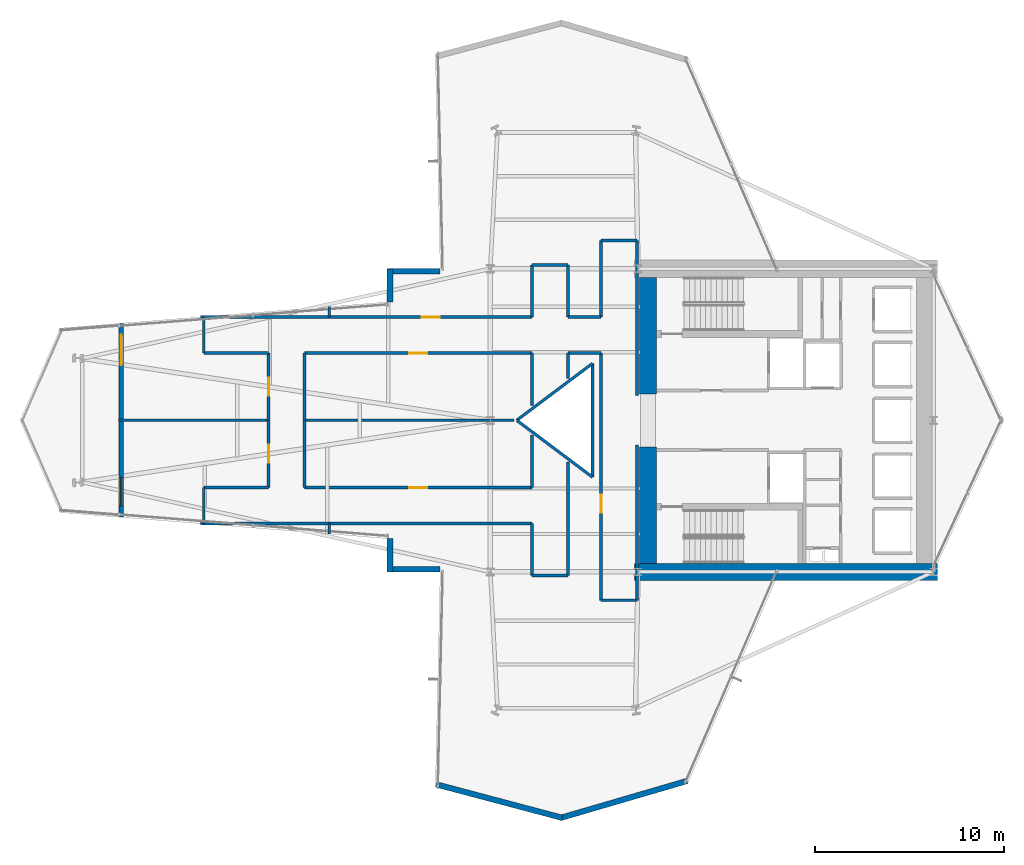
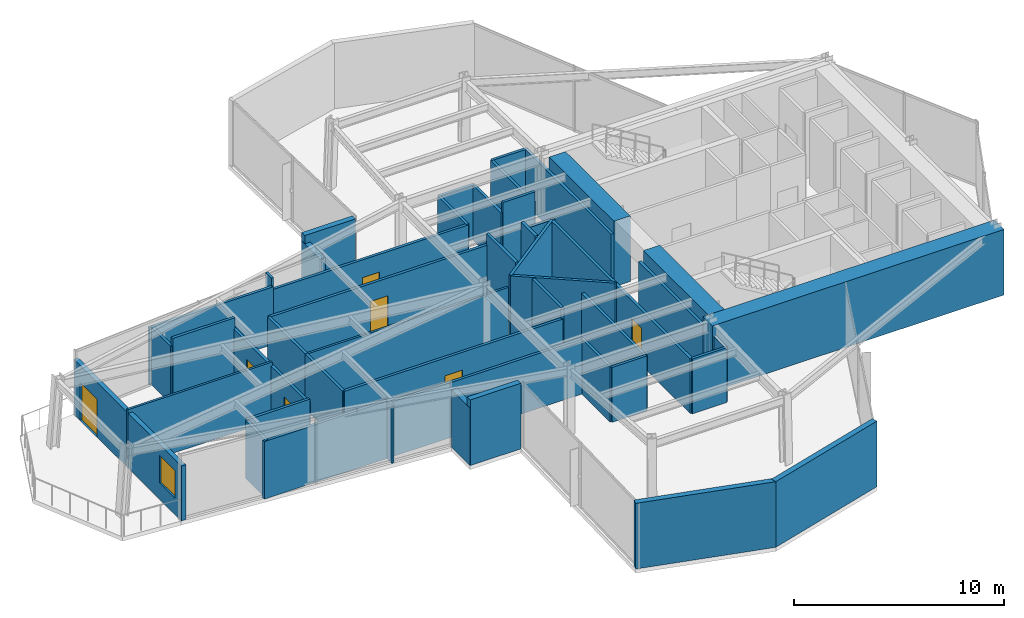
# One storey, part 22 of 26: 48 walls, 7 doors, 1 window, 8 openings.
"""IFC4 building model written with IfcOpenShell, lengths in metres."""

from ifc_helpers import new_model, si_unit, direction, frame, frame_2d, origin, place, context, subcontext, project, spatial, rectangle, extrude, material, layer, layer_set, type_object, element, fill, save


model = new_model("IFC4")

# Units and contexts
model_context = context("Model", 3, precision=1e-05, world=origin(), true_north=direction((0.0, 1.0)))
body_context = subcontext(model_context, "Body", "Model", "MODEL_VIEW")
ifc_project = project(units=[si_unit("LENGTHUNIT", "METRE"), si_unit("AREAUNIT", "SQUARE_METRE"), si_unit("VOLUMEUNIT", "CUBIC_METRE"), si_unit("PLANEANGLEUNIT", "RADIAN"), si_unit("MASSUNIT", "GRAM", prefix="KILO")], contexts=[model_context])

# Site, building, storey
site_placement = place(None, origin())
site = spatial("IfcSite", under=ifc_project, at=site_placement, CompositionType="ELEMENT")
building_placement = place(site_placement, origin())
building = spatial("IfcBuilding", under=site, at=building_placement, Name="Veymaron Broadcast Tower", CompositionType="ELEMENT")
storey_placement = place(building_placement, frame((0.0, 0.0, 90.449951171875)))
storey = spatial("IfcBuildingStorey", under=building, at=storey_placement, Name="L20", CompositionType="ELEMENT", Elevation=90.449951171875)

# Wall, openings, door, window
ifc_material_1 = material(Name="Precast concrete C40/50", Category="concrete")
ifc_layer_1 = layer(ifc_material_1, 0.25)
ifc_layer_set_1 = layer_set([ifc_layer_1], Name="Precast concrete C40/50")
wall_type_1 = type_object("IfcWallType", Name="WALL-EXT-250", PredefinedType="STANDARD", material=ifc_layer_set_1)
wall_1_placement = place(storey_placement, frame((11.716064453125, 29.115966796875, 0.0), z_axis=(0.0, 0.0, 1.0), x_axis=(0.0, -1.0, 0.0)))
wall_1 = element("IfcWall", 1, at=wall_1_placement, inside=storey, type_object=wall_type_1, Name="L20 sky-terrace threshold wall", PredefinedType="STANDARD", context=body_context, shape_type="SweptSolid", body=[
    extrude(rectangle(XDim=10.23193359375, YDim=0.25, at=frame_2d((5.115966796875, 0.0))), origin(), (0.0, 0.0, 1.0), 3.18115234375),
])
opening_1_placement = place(wall_1_placement, frame((0.60009765625, 0.0, 0.0)))
opening_1 = element("IfcOpeningElement", 2, at=opening_1_placement, cuts=wall_1, Name="Opening ED-TR1", PredefinedType="OPENING", context=body_context, shape_type="SweptSolid", body=[
    extrude(rectangle(XDim=1.60009765625, YDim=2.199951171875, at=frame_2d((0.800048828125, 1.10009765625))), frame((0.0, 0.135009765625, 0.0), z_axis=(0.0, -1.0, 0.0), x_axis=(1.0, 0.0, 0.0)), (0.0, 0.0, 1.0), 0.27001953125),
])
opening_2_placement = place(wall_1_placement, frame((8.132080078125, 0.0, 0.949951171875)))
opening_2 = element("IfcOpeningElement", 3, at=opening_2_placement, cuts=wall_1, Name="Opening WN2", PredefinedType="OPENING", context=body_context, shape_type="SweptSolid", body=[
    extrude(rectangle(XDim=1.5, YDim=1.60009765625, at=frame_2d((0.75, 0.800048828125))), frame((0.0, 0.135009765625, 0.0), z_axis=(0.0, -1.0, 0.0), x_axis=(1.0, 0.0, 0.0)), (0.0, 0.0, 1.0), 0.27001953125),
])
ifc_material_2 = material(Name="Thermally broken aluminium and low-E safety glass", Category="aluminium")
door_type_1 = type_object("IfcDoorType", Name="DOOR-TERR-1600", OperationType="DOUBLE_DOOR_SINGLE_SWING", PredefinedType="DOOR", material=ifc_material_2)
door_1_placement = place(opening_1_placement, frame((1.60009765625, 0.0, 0.0), z_axis=(0.0, 0.0, 1.0), x_axis=(-1.0, 0.0, 0.0)))
door_1 = element("IfcDoor", 4, at=door_1_placement, inside=storey, type_object=door_type_1, Name="L20 sky-terrace access door", OperationType="SINGLE_SWING_LEFT", OverallHeight=2.199951171875, OverallWidth=1.60009765625, PredefinedType="DOOR", context=body_context, shape_type="SweptSolid", body=[
    extrude(rectangle(XDim=1.60009765625, YDim=2.199951171875, at=frame_2d((0.800048828125, 1.10009765625))), frame((0.0, 0.02490234375, 0.0), z_axis=(0.0, -1.0, 0.0), x_axis=(1.0, 0.0, 0.0)), (0.0, 0.0, 1.0), 0.050048828125),
])
fill(opening_1, door_1)
ifc_material_3 = material(Name="Thermally broken aluminium and acoustic laminated glass", Category="aluminium")
window_type = type_object("IfcWindowType", Name="WIN-EXT-1500", PartitioningType="SINGLE_PANEL", PredefinedType="WINDOW", material=ifc_material_3)
window_placement = place(opening_2_placement, origin())
window = element("IfcWindow", 5, at=window_placement, inside=storey, type_object=window_type, Name="L20 sky-terrace viewing window", OverallHeight=1.60009765625, OverallWidth=1.5, PartitioningType="SINGLE_PANEL", PredefinedType="WINDOW", context=body_context, shape_type="SweptSolid", body=[
    extrude(rectangle(XDim=1.5, YDim=1.60009765625, at=frame_2d((0.75, 0.800048828125))), frame((0.0, 0.030029296875, 0.0), z_axis=(0.0, -1.0, 0.0), x_axis=(1.0, 0.0, 0.0)), (0.0, 0.0, 1.0), 0.06005859375),
])
fill(opening_2, window)

# Walls
ifc_material_4 = material(Name="Precast concrete C40/50 with mineral-wool insulation", Category="concrete")
ifc_layer_2 = layer(ifc_material_4, 0.300048828125)
ifc_layer_set_2 = layer_set([ifc_layer_2], Name="Precast concrete C40/50 with mineral-wool insulation")
wall_type_2 = type_object("IfcWallType", Name="WALL-EXT-300", PredefinedType="STANDARD", material=ifc_layer_set_2)
wall_2_placement = place(storey_placement, frame((28.550048828125, 31.860107421875, 0.0), z_axis=(0.0, 0.0, 1.0), x_axis=(-1.0, 0.0, 0.0)))
element("IfcWall", 6, at=wall_2_placement, inside=storey, type_object=wall_type_2, Name="L20 notched corner facade pier 10-1", PredefinedType="STANDARD", context=body_context, shape_type="SweptSolid", body=[
    extrude(rectangle(XDim=2.781982421875, YDim=0.300048828125, at=frame_2d((1.39111328125, 0.0))), origin(), (0.0, 0.0, 1.0), 3.81005859375),
])
for number, where, z_axis, x_axis, name in (
    (7, (25.907958984375, 32.0, 0.0), (0.0, 0.0, 1.0), (0.0, -1.0, 0.0), "L20 notched corner facade pier 11-1"),
    (8, (25.907958984375, 17.751220703125, 0.0), (0.0, 0.0, 1.0), (0.0, -1.0, 0.0), "L20 notched corner facade pier 15-1"),
):
    element("IfcWall", number, at=place(storey_placement, frame(where, z_axis=z_axis, x_axis=x_axis)), inside=storey, type_object=wall_type_2, Name=name, PredefinedType="STANDARD", context=body_context, shape_type="SweptSolid", body=[
        extrude(rectangle(XDim=1.751220703125, YDim=0.300048828125, at=frame_2d((0.87548828125, 0.0))), origin(), (0.0, 0.0, 1.0), 3.338134765625),
    ])
wall_3_placement = place(storey_placement, frame((25.76806640625, 16.139892578125, 0.0), z_axis=(0.0, 0.0, 1.0), x_axis=(1.0, 0.0, 0.0)))
element("IfcWall", 9, at=wall_3_placement, inside=storey, type_object=wall_type_2, Name="L20 notched corner facade pier 16-1", PredefinedType="STANDARD", context=body_context, shape_type="SweptSolid", body=[
    extrude(rectangle(XDim=2.781982421875, YDim=0.300048828125, at=frame_2d((1.39111328125, 0.0))), origin(), (0.0, 0.0, 1.0), 3.81005859375),
])
wall_4_placement = place(storey_placement, frame((28.33203125, 4.7841796875, 0.0), z_axis=(0.0, 0.0, 1.0), x_axis=(0.966505300828, -0.256646651002, 0.0)))
element("IfcWall", 10, at=wall_4_placement, inside=storey, type_object=wall_type_2, Name="L20 notched corner facade pier 18-1", PredefinedType="STANDARD", context=body_context, shape_type="SweptSolid", body=[
    extrude(rectangle(XDim=6.895751953125, YDim=0.300048828125, at=frame_2d((3.44775390625, 0.0))), origin(), (0.0, 0.0, 1.0), 3.81005859375),
])
wall_5_placement = place(storey_placement, frame((34.921630859375, 3.013427734375, 0.0), z_axis=(0.0, 0.0, 1.0), x_axis=(0.95987901055, 0.280414488045, 0.0)))
element("IfcWall", 11, at=wall_5_placement, inside=storey, type_object=wall_type_2, Name="L20 notched corner facade pier 19-1", PredefinedType="STANDARD", context=body_context, shape_type="SweptSolid", body=[
    extrude(rectangle(XDim=6.943359375, YDim=0.300048828125, at=frame_2d((3.4716796875, 0.0))), origin(), (0.0, 0.0, 1.0), 3.81005859375),
])

# Wall, opening, door
ifc_material_5 = material(Name="Gypsum fireboard and steel stud framing", Category="steel")
ifc_layer_3 = layer(ifc_material_5, 0.14990234375)
ifc_layer_set_3 = layer_set([ifc_layer_3], Name="Gypsum fireboard and steel stud framing")
wall_type_3 = type_object("IfcWallType", Name="WALL-FIRE-150", PredefinedType="PARTITIONING", material=ifc_layer_set_3)
wall_6_placement = place(storey_placement, frame((37.050048828125, 14.5, 0.0), z_axis=(0.0, 0.0, 1.0), x_axis=(0.0, 1.0, 0.0)))
wall_6 = element("IfcWall", 12, at=wall_6_placement, inside=storey, type_object=wall_type_3, Name="L20 partition IW-L20-P01", PredefinedType="PARTITIONING", context=body_context, shape_type="SweptSolid", body=[
    extrude(rectangle(XDim=13.050048828125, YDim=0.14990234375, at=frame_2d((6.52490234375, 0.0))), origin(), (0.0, 0.0, 1.0), 3.18115234375),
])
opening_3_placement = place(wall_6_placement, frame((4.610107421875, 0.0, 0.0)))
opening_3 = element("IfcOpeningElement", 13, at=opening_3_placement, cuts=wall_6, Name="Opening ID-RM1", PredefinedType="OPENING", context=body_context, shape_type="SweptSolid", body=[
    extrude(rectangle(XDim=0.949951171875, YDim=2.14990234375, at=frame_2d((0.47509765625, 1.074951171875))), frame((0.0, 0.0849609375, 0.0), z_axis=(0.0, -1.0, 0.0), x_axis=(1.0, 0.0, 0.0)), (0.0, 0.0, 1.0), 0.169921875),
])
ifc_material_6 = material(Name="Acoustic solid-core European oak veneer timber", Category="wood")
door_type_2 = type_object("IfcDoorType", Name="DOOR-INT-950", OperationType="NOTDEFINED", PredefinedType="DOOR", material=ifc_material_6)
door_2_placement = place(opening_3_placement, frame((0.949951171875, 0.0, 0.0), z_axis=(0.0, 0.0, 1.0), x_axis=(-1.0, 0.0, 0.0)))
door_2 = element("IfcDoor", 14, at=door_2_placement, inside=storey, type_object=door_type_2, Name="L20 door DR-L20-P01", OperationType="SINGLE_SWING_RIGHT", OverallHeight=2.14990234375, OverallWidth=0.949951171875, PredefinedType="DOOR", context=body_context, shape_type="SweptSolid", body=[
    extrude(rectangle(XDim=0.949951171875, YDim=2.14990234375, at=frame_2d((0.47509765625, 1.074951171875))), frame((0.0, 0.02490234375, 0.0), z_axis=(0.0, -1.0, 0.0), x_axis=(1.0, 0.0, 0.0)), (0.0, 0.0, 1.0), 0.050048828125),
])
fill(opening_3, door_2)

wall_7_placement = place(storey_placement, frame((19.5, 20.449951171875, 0.0), z_axis=(0.0, 0.0, 1.0), x_axis=(0.0, 1.0, 0.0)))
wall_7 = element("IfcWall", 15, at=wall_7_placement, inside=storey, type_object=wall_type_3, Name="L20 partition IW-L20-P11", PredefinedType="PARTITIONING", context=body_context, shape_type="SweptSolid", body=[
    extrude(rectangle(XDim=3.550048828125, YDim=0.14990234375, at=frame_2d((1.77490234375, 0.0))), origin(), (0.0, 0.0, 1.0), 3.18115234375),
])
opening_4_placement = place(wall_7_placement, frame((1.300048828125, 0.0, 0.0)))
opening_4 = element("IfcOpeningElement", 16, at=opening_4_placement, cuts=wall_7, Name="Opening ID-RM1", PredefinedType="OPENING", context=body_context, shape_type="SweptSolid", body=[
    extrude(rectangle(XDim=0.949951171875, YDim=2.14990234375, at=frame_2d((0.47509765625, 1.074951171875))), frame((0.0, 0.0849609375, 0.0), z_axis=(0.0, -1.0, 0.0), x_axis=(1.0, 0.0, 0.0)), (0.0, 0.0, 1.0), 0.169921875),
])
door_3_placement = place(opening_4_placement, origin())
door_3 = element("IfcDoor", 17, at=door_3_placement, inside=storey, type_object=door_type_2, Name="L20 door DR-L20-P11", OperationType="SINGLE_SWING_RIGHT", OverallHeight=2.14990234375, OverallWidth=0.949951171875, PredefinedType="DOOR", context=body_context, shape_type="SweptSolid", body=[
    extrude(rectangle(XDim=0.949951171875, YDim=2.14990234375, at=frame_2d((0.47509765625, 1.074951171875))), frame((0.0, 0.02490234375, 0.0), z_axis=(0.0, -1.0, 0.0), x_axis=(1.0, 0.0, 0.0)), (0.0, 0.0, 1.0), 0.050048828125),
])
fill(opening_4, door_3)

wall_8_placement = place(storey_placement, frame((21.39990234375, 20.449951171875, 0.0), z_axis=(0.0, 0.0, 1.0), x_axis=(1.0, 0.0, 0.0)))
wall_8 = element("IfcWall", 18, at=wall_8_placement, inside=storey, type_object=wall_type_3, Name="L20 partition IW-L20-P14", PredefinedType="PARTITIONING", context=body_context, shape_type="SweptSolid", body=[
    extrude(rectangle(XDim=12.0, YDim=0.14990234375, at=frame_2d((6.0, 0.0))), origin(), (0.0, 0.0, 1.0), 3.18115234375),
])
opening_5_placement = place(wall_8_placement, frame((5.52490234375, 0.0, 0.0)))
opening_5 = element("IfcOpeningElement", 19, at=opening_5_placement, cuts=wall_8, Name="Opening ID-RM1", PredefinedType="OPENING", context=body_context, shape_type="SweptSolid", body=[
    extrude(rectangle(XDim=0.949951171875, YDim=2.14990234375, at=frame_2d((0.47509765625, 1.074951171875))), frame((0.0, 0.0849609375, 0.0), z_axis=(0.0, -1.0, 0.0), x_axis=(1.0, 0.0, 0.0)), (0.0, 0.0, 1.0), 0.169921875),
])
door_4_placement = place(opening_5_placement, origin())
door_4 = element("IfcDoor", 20, at=door_4_placement, inside=storey, type_object=door_type_2, Name="L20 door DR-L20-P14", OperationType="SINGLE_SWING_LEFT", OverallHeight=2.14990234375, OverallWidth=0.949951171875, PredefinedType="DOOR", context=body_context, shape_type="SweptSolid", body=[
    extrude(rectangle(XDim=0.949951171875, YDim=2.14990234375, at=frame_2d((0.47509765625, 1.074951171875))), frame((0.0, 0.02490234375, 0.0), z_axis=(0.0, -1.0, 0.0), x_axis=(1.0, 0.0, 0.0)), (0.0, 0.0, 1.0), 0.050048828125),
])
fill(opening_5, door_4)

wall_9_placement = place(storey_placement, frame((21.39990234375, 27.550048828125, 0.0), z_axis=(0.0, 0.0, 1.0), x_axis=(1.0, 0.0, 0.0)))
wall_9 = element("IfcWall", 21, at=wall_9_placement, inside=storey, type_object=wall_type_3, Name="L20 partition IW-L20-P17", PredefinedType="PARTITIONING", context=body_context, shape_type="SweptSolid", body=[
    extrude(rectangle(XDim=12.0, YDim=0.14990234375, at=frame_2d((6.0, 0.0))), origin(), (0.0, 0.0, 1.0), 3.18115234375),
])
opening_6_placement = place(wall_9_placement, frame((5.52490234375, 0.0, 0.0)))
opening_6 = element("IfcOpeningElement", 22, at=opening_6_placement, cuts=wall_9, Name="Opening ID-RM1", PredefinedType="OPENING", context=body_context, shape_type="SweptSolid", body=[
    extrude(rectangle(XDim=0.949951171875, YDim=2.14990234375, at=frame_2d((0.47509765625, 1.074951171875))), frame((0.0, 0.0849609375, 0.0), z_axis=(0.0, -1.0, 0.0), x_axis=(1.0, 0.0, 0.0)), (0.0, 0.0, 1.0), 0.169921875),
])
door_5_placement = place(opening_6_placement, frame((0.949951171875, 0.0, 0.0), z_axis=(0.0, 0.0, 1.0), x_axis=(-1.0, 0.0, 0.0)))
door_5 = element("IfcDoor", 23, at=door_5_placement, inside=storey, type_object=door_type_2, Name="L20 door DR-L20-P17", OperationType="SINGLE_SWING_RIGHT", OverallHeight=2.14990234375, OverallWidth=0.949951171875, PredefinedType="DOOR", context=body_context, shape_type="SweptSolid", body=[
    extrude(rectangle(XDim=0.949951171875, YDim=2.14990234375, at=frame_2d((0.47509765625, 1.074951171875))), frame((0.0, 0.02490234375, 0.0), z_axis=(0.0, -1.0, 0.0), x_axis=(1.0, 0.0, 0.0)), (0.0, 0.0, 1.0), 0.050048828125),
])
fill(opening_6, door_5)

wall_10_placement = place(storey_placement, frame((19.5, 24.0, 0.0), z_axis=(0.0, 0.0, 1.0), x_axis=(0.0, 1.0, 0.0)))
wall_10 = element("IfcWall", 24, at=wall_10_placement, inside=storey, type_object=wall_type_3, Name="L20 partition IW-L20-P21", PredefinedType="PARTITIONING", context=body_context, shape_type="SweptSolid", body=[
    extrude(rectangle(XDim=3.550048828125, YDim=0.14990234375, at=frame_2d((1.77490234375, 0.0))), origin(), (0.0, 0.0, 1.0), 3.18115234375),
])
opening_7_placement = place(wall_10_placement, frame((1.300048828125, 0.0, 0.0)))
opening_7 = element("IfcOpeningElement", 25, at=opening_7_placement, cuts=wall_10, Name="Opening ID-RM1", PredefinedType="OPENING", context=body_context, shape_type="SweptSolid", body=[
    extrude(rectangle(XDim=0.949951171875, YDim=2.14990234375, at=frame_2d((0.47509765625, 1.074951171875))), frame((0.0, 0.0849609375, 0.0), z_axis=(0.0, -1.0, 0.0), x_axis=(1.0, 0.0, 0.0)), (0.0, 0.0, 1.0), 0.169921875),
])
door_6_placement = place(opening_7_placement, origin())
door_6 = element("IfcDoor", 26, at=door_6_placement, inside=storey, type_object=door_type_2, Name="L20 door DR-L20-P21", OperationType="SINGLE_SWING_RIGHT", OverallHeight=2.14990234375, OverallWidth=0.949951171875, PredefinedType="DOOR", context=body_context, shape_type="SweptSolid", body=[
    extrude(rectangle(XDim=0.949951171875, YDim=2.14990234375, at=frame_2d((0.47509765625, 1.074951171875))), frame((0.0, 0.02490234375, 0.0), z_axis=(0.0, -1.0, 0.0), x_axis=(1.0, 0.0, 0.0)), (0.0, 0.0, 1.0), 0.050048828125),
])
fill(opening_7, door_6)

wall_11_placement = place(storey_placement, frame((22.696044921875, 29.449951171875, 0.0), z_axis=(0.0, 0.0, 1.0), x_axis=(1.0, 0.0, 0.0)))
wall_11 = element("IfcWall", 27, at=wall_11_placement, inside=storey, type_object=wall_type_3, Name="L20 partition IW-L20-P24", PredefinedType="PARTITIONING", context=body_context, shape_type="SweptSolid", body=[
    extrude(rectangle(XDim=10.703857421875, YDim=0.14990234375, at=frame_2d((5.35205078125, 0.0))), origin(), (0.0, 0.0, 1.0), 3.18115234375),
])
opening_8_placement = place(wall_11_placement, frame((4.876953125, 0.0, 0.0)))
opening_8 = element("IfcOpeningElement", 28, at=opening_8_placement, cuts=wall_11, Name="Opening ID-RM1", PredefinedType="OPENING", context=body_context, shape_type="SweptSolid", body=[
    extrude(rectangle(XDim=0.949951171875, YDim=2.14990234375, at=frame_2d((0.47509765625, 1.074951171875))), frame((0.0, 0.0849609375, 0.0), z_axis=(0.0, -1.0, 0.0), x_axis=(1.0, 0.0, 0.0)), (0.0, 0.0, 1.0), 0.169921875),
])
door_7_placement = place(opening_8_placement, origin())
door_7 = element("IfcDoor", 29, at=door_7_placement, inside=storey, type_object=door_type_2, Name="L20 door DR-L20-P24", OperationType="SINGLE_SWING_LEFT", OverallHeight=2.14990234375, OverallWidth=0.949951171875, PredefinedType="DOOR", context=body_context, shape_type="SweptSolid", body=[
    extrude(rectangle(XDim=0.949951171875, YDim=2.14990234375, at=frame_2d((0.47509765625, 1.074951171875))), frame((0.0, 0.02490234375, 0.0), z_axis=(0.0, -1.0, 0.0), x_axis=(1.0, 0.0, 0.0)), (0.0, 0.0, 1.0), 0.050048828125),
])
fill(opening_8, door_7)

# Walls
wall_12_placement = place(storey_placement, frame((22.696044921875, 18.550048828125, 0.0), z_axis=(0.0, 0.0, 1.0), x_axis=(1.0, 0.0, 0.0)))
element("IfcWall", 30, at=wall_12_placement, inside=storey, type_object=wall_type_3, Name="L20 partition IW-L20-P02", PredefinedType="PARTITIONING", context=body_context, shape_type="SweptSolid", body=[
    extrude(rectangle(XDim=10.703857421875, YDim=0.14990234375, at=frame_2d((5.35205078125, 0.0))), origin(), (0.0, 0.0, 1.0), 3.18115234375),
])
wall_13_placement = place(storey_placement, frame((38.949951171875, 14.5, 0.0), z_axis=(0.0, 0.0, 1.0), x_axis=(0.0, 1.0, 0.0)))
element("IfcWall", 31, at=wall_13_placement, inside=storey, type_object=wall_type_3, Name="L20 partition IW-L20-P03", PredefinedType="PARTITIONING", context=body_context, shape_type="SweptSolid", body=[
    extrude(rectangle(XDim=8.199951171875, YDim=0.14990234375, at=frame_2d((4.10009765625, 0.0))), origin(), (0.0, 0.0, 1.0), 3.18115234375),
])
wall_14_placement = place(storey_placement, frame((35.300048828125, 15.800048828125, 0.0), z_axis=(0.0, 0.0, 1.0), x_axis=(0.0, 1.0, 0.0)))
element("IfcWall", 32, at=wall_14_placement, inside=storey, type_object=wall_type_3, Name="L20 partition IW-L20-P04", PredefinedType="PARTITIONING", context=body_context, shape_type="SweptSolid", body=[
    extrude(rectangle(XDim=5.987548828125, YDim=0.14990234375, at=frame_2d((2.99365234375, 0.0))), origin(), (0.0, 0.0, 1.0), 3.18115234375),
])
wall_15_placement = place(storey_placement, frame((33.39990234375, 15.800048828125, 0.0), z_axis=(0.0, 0.0, 1.0), x_axis=(0.0, 1.0, 0.0)))
element("IfcWall", 33, at=wall_15_placement, inside=storey, type_object=wall_type_3, Name="L20 partition IW-L20-P05", PredefinedType="PARTITIONING", context=body_context, shape_type="SweptSolid", body=[
    extrude(rectangle(XDim=2.75, YDim=0.14990234375, at=frame_2d((1.375, 0.0))), origin(), (0.0, 0.0, 1.0), 3.18115234375),
])
wall_16_placement = place(storey_placement, frame((37.050048828125, 14.5, 0.0), z_axis=(0.0, 0.0, 1.0), x_axis=(1.0, 0.0, 0.0)))
element("IfcWall", 34, at=wall_16_placement, inside=storey, type_object=wall_type_3, Name="L20 partition IW-L20-P06", PredefinedType="PARTITIONING", context=body_context, shape_type="SweptSolid", body=[
    extrude(rectangle(XDim=1.89990234375, YDim=0.14990234375, at=frame_2d((0.949951171875, 0.0))), origin(), (0.0, 0.0, 1.0), 3.18115234375),
])
wall_17_placement = place(storey_placement, frame((33.39990234375, 15.800048828125, 0.0), z_axis=(0.0, 0.0, 1.0), x_axis=(1.0, 0.0, 0.0)))
element("IfcWall", 35, at=wall_17_placement, inside=storey, type_object=wall_type_3, Name="L20 partition IW-L20-P07", PredefinedType="PARTITIONING", context=body_context, shape_type="SweptSolid", body=[
    extrude(rectangle(XDim=1.900146484375, YDim=0.14990234375, at=frame_2d((0.9501953125, 0.0))), origin(), (0.0, 0.0, 1.0), 3.18115234375),
])
wall_18_placement = place(storey_placement, frame((35.300048828125, 27.550048828125, 0.0), z_axis=(0.0, 0.0, 1.0), x_axis=(1.0, 0.0, 0.0)))
element("IfcWall", 36, at=wall_18_placement, inside=storey, type_object=wall_type_3, Name="L20 partition IW-L20-P08", PredefinedType="PARTITIONING", context=body_context, shape_type="SweptSolid", body=[
    extrude(rectangle(XDim=1.75, YDim=0.14990234375, at=frame_2d((0.875, 0.0))), origin(), (0.0, 0.0, 1.0), 3.39111328125),
])
wall_19_placement = place(storey_placement, frame((35.300048828125, 26.21240234375, 0.0), z_axis=(0.0, 0.0, 1.0), x_axis=(0.0, 1.0, 0.0)))
element("IfcWall", 37, at=wall_19_placement, inside=storey, type_object=wall_type_3, Name="L20 partition IW-L20-P09", PredefinedType="PARTITIONING", context=body_context, shape_type="SweptSolid", body=[
    extrude(rectangle(XDim=1.337646484375, YDim=0.14990234375, at=frame_2d((0.6689453125, 0.0))), origin(), (0.0, 0.0, 1.0), 3.81005859375),
])
wall_20_placement = place(storey_placement, frame((15.900390625, 18.550048828125, 0.0), z_axis=(0.0, 0.0, 1.0), x_axis=(1.0, 0.0, 0.0)))
element("IfcWall", 38, at=wall_20_placement, inside=storey, type_object=wall_type_3, Name="L20 partition IW-L20-P10", PredefinedType="PARTITIONING", context=body_context, shape_type="SweptSolid", body=[
    extrude(rectangle(XDim=6.795654296875, YDim=0.14990234375, at=frame_2d((3.39794921875, 0.0))), origin(), (0.0, 0.0, 1.0), 3.338134765625),
])
wall_21_placement = place(storey_placement, frame((16.075927734375, 20.449951171875, 0.0), z_axis=(0.0, 0.0, 1.0), x_axis=(1.0, 0.0, 0.0)))
element("IfcWall", 39, at=wall_21_placement, inside=storey, type_object=wall_type_3, Name="L20 partition IW-L20-P12", PredefinedType="PARTITIONING", context=body_context, shape_type="SweptSolid", body=[
    extrude(rectangle(XDim=3.424072265625, YDim=0.14990234375, at=frame_2d((1.7119140625, 0.0))), origin(), (0.0, 0.0, 1.0), 3.39111328125),
])
wall_22_placement = place(storey_placement, frame((16.075927734375, 18.550048828125, 0.0), z_axis=(0.0, 0.0, 1.0), x_axis=(0.0, 1.0, 0.0)))
element("IfcWall", 40, at=wall_22_placement, inside=storey, type_object=wall_type_3, Name="L20 partition IW-L20-P13", PredefinedType="PARTITIONING", context=body_context, shape_type="SweptSolid", body=[
    extrude(rectangle(XDim=1.89990234375, YDim=0.14990234375, at=frame_2d((0.949951171875, 0.0))), origin(), (0.0, 0.0, 1.0), 3.338134765625),
])
wall_23_placement = place(storey_placement, frame((21.39990234375, 20.449951171875, 0.0), z_axis=(0.0, 0.0, 1.0), x_axis=(0.0, 1.0, 0.0)))
element("IfcWall", 41, at=wall_23_placement, inside=storey, type_object=wall_type_3, Name="L20 partition IW-L20-P15", PredefinedType="PARTITIONING", context=body_context, shape_type="SweptSolid", body=[
    extrude(rectangle(XDim=3.550048828125, YDim=0.14990234375, at=frame_2d((1.77490234375, 0.0))), origin(), (0.0, 0.0, 1.0), 3.18115234375),
])
wall_24_placement = place(storey_placement, frame((33.39990234375, 20.449951171875, 0.0), z_axis=(0.0, 0.0, 1.0), x_axis=(0.0, 1.0, 0.0)))
element("IfcWall", 42, at=wall_24_placement, inside=storey, type_object=wall_type_3, Name="L20 partition IW-L20-P16", PredefinedType="PARTITIONING", context=body_context, shape_type="SweptSolid", body=[
    extrude(rectangle(XDim=2.762451171875, YDim=0.14990234375, at=frame_2d((1.38134765625, 0.0))), origin(), (0.0, 0.0, 1.0), 3.81005859375),
])
wall_25_placement = place(storey_placement, frame((21.39990234375, 24.0, 0.0), z_axis=(0.0, 0.0, 1.0), x_axis=(0.0, 1.0, 0.0)))
element("IfcWall", 43, at=wall_25_placement, inside=storey, type_object=wall_type_3, Name="L20 partition IW-L20-P18", PredefinedType="PARTITIONING", context=body_context, shape_type="SweptSolid", body=[
    extrude(rectangle(XDim=3.550048828125, YDim=0.14990234375, at=frame_2d((1.77490234375, 0.0))), origin(), (0.0, 0.0, 1.0), 3.18115234375),
])
wall_26_placement = place(storey_placement, frame((33.39990234375, 24.78759765625, 0.0), z_axis=(0.0, 0.0, 1.0), x_axis=(0.0, 1.0, 0.0)))
element("IfcWall", 44, at=wall_26_placement, inside=storey, type_object=wall_type_3, Name="L20 partition IW-L20-P19", PredefinedType="PARTITIONING", context=body_context, shape_type="SweptSolid", body=[
    extrude(rectangle(XDim=2.762451171875, YDim=0.14990234375, at=frame_2d((1.38134765625, 0.0))), origin(), (0.0, 0.0, 1.0), 3.81005859375),
])
wall_27_placement = place(storey_placement, frame((15.900390625, 29.449951171875, 0.0), z_axis=(0.0, 0.0, 1.0), x_axis=(1.0, 0.0, 0.0)))
element("IfcWall", 45, at=wall_27_placement, inside=storey, type_object=wall_type_3, Name="L20 partition IW-L20-P20", PredefinedType="PARTITIONING", context=body_context, shape_type="SweptSolid", body=[
    extrude(rectangle(XDim=6.795654296875, YDim=0.14990234375, at=frame_2d((3.39794921875, 0.0))), origin(), (0.0, 0.0, 1.0), 3.338134765625),
])
wall_28_placement = place(storey_placement, frame((16.075927734375, 27.550048828125, 0.0), z_axis=(0.0, 0.0, 1.0), x_axis=(1.0, 0.0, 0.0)))
element("IfcWall", 46, at=wall_28_placement, inside=storey, type_object=wall_type_3, Name="L20 partition IW-L20-P22", PredefinedType="PARTITIONING", context=body_context, shape_type="SweptSolid", body=[
    extrude(rectangle(XDim=3.424072265625, YDim=0.14990234375, at=frame_2d((1.7119140625, 0.0))), origin(), (0.0, 0.0, 1.0), 3.81005859375),
])
wall_29_placement = place(storey_placement, frame((16.075927734375, 27.550048828125, 0.0), z_axis=(0.0, 0.0, 1.0), x_axis=(0.0, 1.0, 0.0)))
element("IfcWall", 47, at=wall_29_placement, inside=storey, type_object=wall_type_3, Name="L20 partition IW-L20-P23", PredefinedType="PARTITIONING", context=body_context, shape_type="SweptSolid", body=[
    extrude(rectangle(XDim=1.89990234375, YDim=0.14990234375, at=frame_2d((0.949951171875, 0.0))), origin(), (0.0, 0.0, 1.0), 3.338134765625),
])
wall_30_placement = place(storey_placement, frame((38.949951171875, 25.300048828125, 0.0), z_axis=(0.0, 0.0, 1.0), x_axis=(0.0, 1.0, 0.0)))
element("IfcWall", 48, at=wall_30_placement, inside=storey, type_object=wall_type_3, Name="L20 partition IW-L20-P25", PredefinedType="PARTITIONING", context=body_context, shape_type="SweptSolid", body=[
    extrude(rectangle(XDim=8.199951171875, YDim=0.14990234375, at=frame_2d((4.10009765625, 0.0))), origin(), (0.0, 0.0, 1.0), 3.18115234375),
])
wall_31_placement = place(storey_placement, frame((37.050048828125, 29.449951171875, 0.0), z_axis=(0.0, 0.0, 1.0), x_axis=(0.0, 1.0, 0.0)))
element("IfcWall", 49, at=wall_31_placement, inside=storey, type_object=wall_type_3, Name="L20 partition IW-L20-P26", PredefinedType="PARTITIONING", context=body_context, shape_type="SweptSolid", body=[
    extrude(rectangle(XDim=4.050048828125, YDim=0.14990234375, at=frame_2d((2.02490234375, 0.0))), origin(), (0.0, 0.0, 1.0), 3.18115234375),
])
for number, where, z_axis, x_axis, name in (
    (50, (33.39990234375, 29.449951171875, 0.0), (0.0, 0.0, 1.0), (0.0, 1.0, 0.0), "L20 partition IW-L20-P27"),
    (51, (35.300048828125, 29.449951171875, 0.0), (0.0, 0.0, 1.0), (0.0, 1.0, 0.0), "L20 partition IW-L20-P28"),
):
    element("IfcWall", number, at=place(storey_placement, frame(where, z_axis=z_axis, x_axis=x_axis)), inside=storey, type_object=wall_type_3, Name=name, PredefinedType="PARTITIONING", context=body_context, shape_type="SweptSolid", body=[
        extrude(rectangle(XDim=2.75, YDim=0.14990234375, at=frame_2d((1.375, 0.0))), origin(), (0.0, 0.0, 1.0), 3.18115234375),
    ])
wall_32_placement = place(storey_placement, frame((37.050048828125, 33.5, 0.0), z_axis=(0.0, 0.0, 1.0), x_axis=(1.0, 0.0, 0.0)))
element("IfcWall", 52, at=wall_32_placement, inside=storey, type_object=wall_type_3, Name="L20 partition IW-L20-P29", PredefinedType="PARTITIONING", context=body_context, shape_type="SweptSolid", body=[
    extrude(rectangle(XDim=1.89990234375, YDim=0.14990234375, at=frame_2d((0.949951171875, 0.0))), origin(), (0.0, 0.0, 1.0), 3.18115234375),
])
wall_33_placement = place(storey_placement, frame((33.39990234375, 32.199951171875, 0.0), z_axis=(0.0, 0.0, 1.0), x_axis=(1.0, 0.0, 0.0)))
element("IfcWall", 53, at=wall_33_placement, inside=storey, type_object=wall_type_3, Name="L20 partition IW-L20-P30", PredefinedType="PARTITIONING", context=body_context, shape_type="SweptSolid", body=[
    extrude(rectangle(XDim=1.900146484375, YDim=0.14990234375, at=frame_2d((0.9501953125, 0.0))), origin(), (0.0, 0.0, 1.0), 3.18115234375),
])
wall_34_placement = place(storey_placement, frame((35.300048828125, 29.449951171875, 0.0), z_axis=(0.0, 0.0, 1.0), x_axis=(1.0, 0.0, 0.0)))
element("IfcWall", 54, at=wall_34_placement, inside=storey, type_object=wall_type_3, Name="L20 partition IW-L20-P31", PredefinedType="PARTITIONING", context=body_context, shape_type="SweptSolid", body=[
    extrude(rectangle(XDim=1.75, YDim=0.14990234375, at=frame_2d((0.875, 0.0))), origin(), (0.0, 0.0, 1.0), 3.81005859375),
])
ifc_material_7 = material(Name="Fire-rated laminated glass in aluminium frame", Category="aluminium")
ifc_layer_4 = layer(ifc_material_7, 0.14990234375)
ifc_layer_set_4 = layer_set([ifc_layer_4], Name="Fire-rated laminated glass in aluminium frame")
wall_type_4 = type_object("IfcWallType", Name="WALL-GLZ-150", PredefinedType="MOVABLE", material=ifc_layer_set_4)
wall_35_placement = place(storey_placement, frame((32.60009765625, 24.0, 0.0), z_axis=(0.0, 0.0, 1.0), x_axis=(0.8, -0.6, 0.0)))
element("IfcWall", 55, at=wall_35_placement, inside=storey, type_object=wall_type_4, Name="L20 partition IW-L20-ATR1", PredefinedType="MOVABLE", context=body_context, shape_type="SweptSolid", body=[
    extrude(rectangle(XDim=5.0, YDim=0.14990234375, at=frame_2d((2.5, 0.0))), origin(), (0.0, 0.0, 1.0), 3.81005859375),
])
wall_36_placement = place(storey_placement, frame((36.60009765625, 21.0, 0.0), z_axis=(0.0, 0.0, 1.0), x_axis=(0.0, 1.0, 0.0)))
element("IfcWall", 56, at=wall_36_placement, inside=storey, type_object=wall_type_4, Name="L20 partition IW-L20-ATR2", PredefinedType="MOVABLE", context=body_context, shape_type="SweptSolid", body=[
    extrude(rectangle(XDim=6.0, YDim=0.14990234375, at=frame_2d((3.0, 0.0))), origin(), (0.0, 0.0, 1.0), 3.81005859375),
])
wall_37_placement = place(storey_placement, frame((36.60009765625, 27.0, 0.0), z_axis=(0.0, 0.0, 1.0), x_axis=(-0.8, -0.6, 0.0)))
element("IfcWall", 57, at=wall_37_placement, inside=storey, type_object=wall_type_4, Name="L20 partition IW-L20-ATR3", PredefinedType="MOVABLE", context=body_context, shape_type="SweptSolid", body=[
    extrude(rectangle(XDim=5.0, YDim=0.14990234375, at=frame_2d((2.5, 0.0))), origin(), (0.0, 0.0, 1.0), 3.81005859375),
])
ifc_material_8 = material(Name="Acoustic gypsum board and galvanized stud", Category="gypsum")
ifc_layer_5 = layer(ifc_material_8, 0.1201171875)
ifc_layer_set_5 = layer_set([ifc_layer_5], Name="Acoustic gypsum board and galvanized stud")
wall_type_5 = type_object("IfcWallType", Name="WALL-PART-120", PredefinedType="PARTITIONING", material=ifc_layer_set_5)
wall_38_placement = place(storey_placement, frame((22.696044921875, 17.996337890625, 0.0), z_axis=(0.0, 0.0, 1.0), x_axis=(0.0, 1.0, 0.0)))
element("IfcWall", 58, at=wall_38_placement, inside=storey, type_object=wall_type_5, Name="L20 partition IW-L20-P32", PredefinedType="PARTITIONING", context=body_context, shape_type="SweptSolid", body=[
    extrude(rectangle(XDim=0.5537109375, YDim=0.1201171875, at=frame_2d((0.27685546875, 0.0))), origin(), (0.0, 0.0, 1.0), 3.39111328125),
])
wall_39_placement = place(storey_placement, frame((11.575927734375, 24.0, 0.0), z_axis=(0.0, 0.0, 1.0), x_axis=(1.0, 0.0, 0.0)))
element("IfcWall", 59, at=wall_39_placement, inside=storey, type_object=wall_type_5, Name="L20 partition IW-L20-P33", PredefinedType="PARTITIONING", context=body_context, shape_type="SweptSolid", body=[
    extrude(rectangle(XDim=7.924072265625, YDim=0.1201171875, at=frame_2d((3.9619140625, 0.0))), origin(), (0.0, 0.0, 1.0), 3.39111328125),
])
wall_40_placement = place(storey_placement, frame((21.39990234375, 24.0, 0.0), z_axis=(0.0, 0.0, 1.0), x_axis=(1.0, 0.0, 0.0)))
element("IfcWall", 60, at=wall_40_placement, inside=storey, type_object=wall_type_5, Name="L20 partition IW-L20-P34", PredefinedType="PARTITIONING", context=body_context, shape_type="SweptSolid", body=[
    extrude(rectangle(XDim=11.05029296875, YDim=0.1201171875, at=frame_2d((5.525146484375, 0.0))), origin(), (0.0, 0.0, 1.0), 3.18115234375),
])
wall_41_placement = place(storey_placement, frame((22.696044921875, 29.449951171875, 0.0), z_axis=(0.0, 0.0, 1.0), x_axis=(0.0, 1.0, 0.0)))
element("IfcWall", 61, at=wall_41_placement, inside=storey, type_object=wall_type_5, Name="L20 partition IW-L20-P35", PredefinedType="PARTITIONING", context=body_context, shape_type="SweptSolid", body=[
    extrude(rectangle(XDim=0.5537109375, YDim=0.1201171875, at=frame_2d((0.27685546875, 0.0))), origin(), (0.0, 0.0, 1.0), 3.81005859375),
])
ifc_material_9 = material(Name="Concrete C70/85", Category="concrete")
ifc_layer_6 = layer(ifc_material_9, 0.89990234375)
ifc_layer_set_6 = layer_set([ifc_layer_6], Name="Concrete C70/85")
wall_type_6 = type_object("IfcWallType", Name="WALL-SHEAR-900", PredefinedType="SHEAR", material=ifc_layer_set_6)
wall_42_placement = place(storey_placement, frame((38.800048828125, 16.0, 0.0), z_axis=(0.0, 0.0, 1.0), x_axis=(1.0, 0.0, 0.0)))
element("IfcWall", 62, at=wall_42_placement, inside=storey, type_object=wall_type_6, Name="L20 Core Wall south shear", PredefinedType="SHEAR", context=body_context, shape_type="SweptSolid", body=[
    extrude(rectangle(XDim=16.0, YDim=0.89990234375, at=frame_2d((8.0, 0.0))), origin(), (0.0, 0.0, 1.0), 3.81005859375),
])
for number, where, z_axis, x_axis, name in (
    (63, (39.530029296875, 16.449951171875, 0.0), (0.0, 0.0, 1.0), (0.0, 1.0, 0.0), "L20 Core Wall west-south shear"),
    (64, (39.530029296875, 25.39990234375, 0.0), (0.0, 0.0, 1.0), (0.0, 1.0, 0.0), "L20 Core Wall west-north shear"),
):
    element("IfcWall", number, at=place(storey_placement, frame(where, z_axis=z_axis, x_axis=x_axis)), inside=storey, type_object=wall_type_6, Name=name, PredefinedType="SHEAR", context=body_context, shape_type="SweptSolid", body=[
        extrude(rectangle(XDim=6.150146484375, YDim=0.89990234375, at=frame_2d((3.0751953125, 0.0))), origin(), (0.0, 0.0, 1.0), 3.81005859375),
    ])

save(model, "model.ifc")
